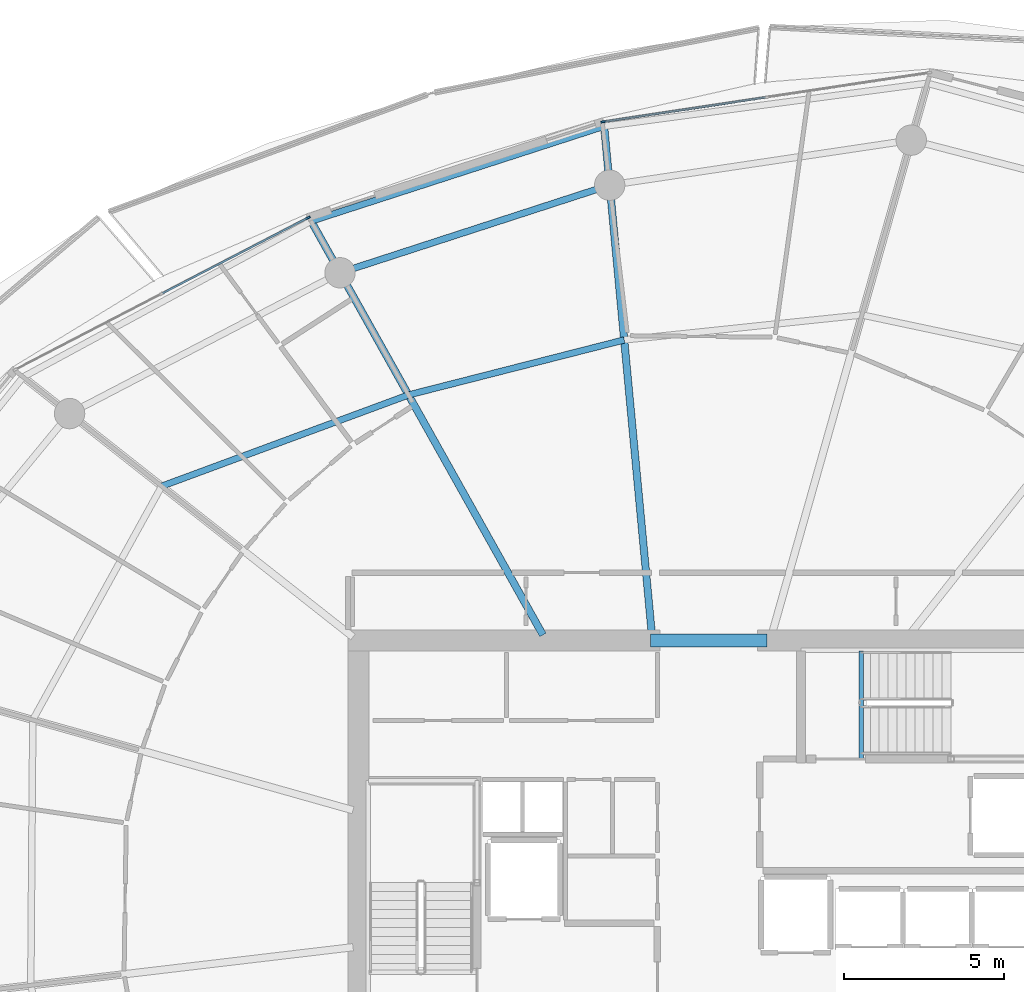
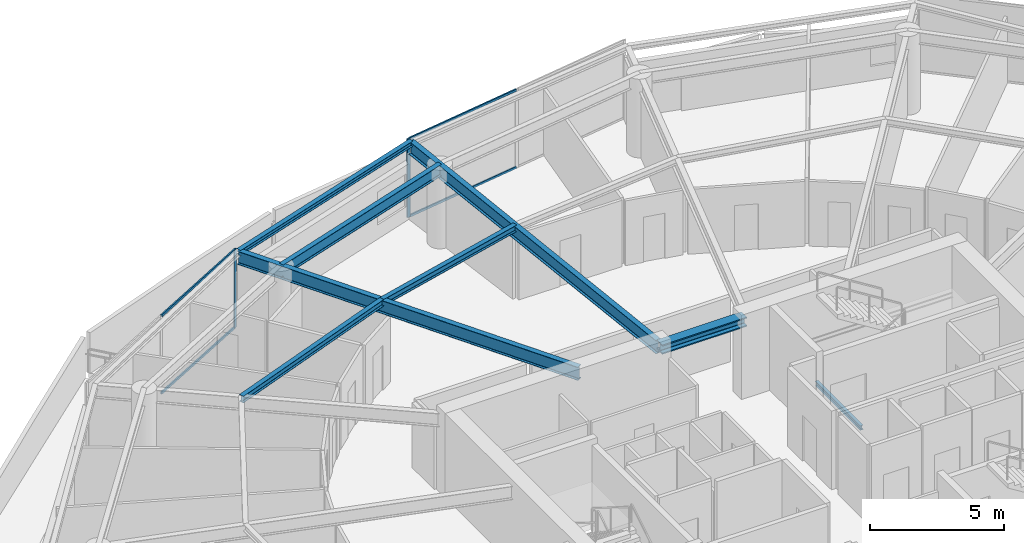
# One storey, part 14 of 31: 8 beams, 6 members, 2 elements without a shape of their own.
"""IFC4 building model written with IfcOpenShell, lengths in metres."""

from ifc_helpers import new_model, si_unit, direction, frame, origin, origin_2d, place, context, subcontext, project, spatial, rectangle, i_section, extrude, material, layer, layer_set, material_profile, profile_set, type_object, element, aggregate, save


model = new_model("IFC4")

# Units and contexts
model_context = context("Model", 3, precision=1e-05, world=origin(), true_north=direction((0.0, 1.0)))
body_context = subcontext(model_context, "Body", "Model", "MODEL_VIEW")
ifc_project = project(units=[si_unit("LENGTHUNIT", "METRE"), si_unit("AREAUNIT", "SQUARE_METRE"), si_unit("VOLUMEUNIT", "CUBIC_METRE"), si_unit("PLANEANGLEUNIT", "RADIAN"), si_unit("MASSUNIT", "GRAM", prefix="KILO")], contexts=[model_context])

# Site, building, storey
site_placement = place(None, origin())
site = spatial("IfcSite", under=ifc_project, at=site_placement, CompositionType="ELEMENT")
building_placement = place(site_placement, origin())
building = spatial("IfcBuilding", under=site, at=building_placement, Name="Kazma Halo Residences", CompositionType="ELEMENT")
storey_placement = place(building_placement, frame((0.0, 0.0, 240.550048828125)))
storey = spatial("IfcBuildingStorey", under=building, at=storey_placement, Name="L60", CompositionType="ELEMENT", Elevation=240.550048828125)

# Beams
ifc_material_1 = material(Name="Steel S355", Category="steel")
ifc_material_profile_1 = material_profile(ifc_material_1, i_section(OverallWidth=0.201904296875, OverallDepth=0.2470703125, WebThickness=0.00732421875, FlangeThickness=0.010986328125, FilletRadius=0.011962890625, at=origin_2d()), Name="W250x49.1")
ifc_profile_set_1 = profile_set([ifc_material_profile_1], Name="Steel S355")
beam_type_1 = type_object("IfcBeamType", Name="BM-BAL-CANT", PredefinedType="BEAM", material=ifc_profile_set_1)
beam_1_placement = place(storey_placement, frame((45.155517578125, 66.41259765625, 3.466552734375), z_axis=(-0.951357597741, -0.308088820344, 0.0), x_axis=(0.308088820344, -0.951357597741, 0.0)))
element("IfcBeam", 1, at=beam_1_placement, inside=storey, type_object=beam_type_1, Name="L60 wave-balcony tie beam 04", PredefinedType="BEAM", context=body_context, shape_type="SweptSolid", body=[
    extrude(i_section(OverallWidth=0.201904296875, OverallDepth=0.2470703125, WebThickness=0.00732421875, FlangeThickness=0.010986328125, FilletRadius=0.011962890625, at=origin_2d()), origin(), (0.0, 0.0, 1.0), 9.633544921875),
])
ifc_material_profile_2 = material_profile(ifc_material_1, i_section(OverallWidth=0.408935546875, OverallDepth=0.425048828125, WebThickness=0.03271484375, FlangeThickness=0.052490234375, FilletRadius=0.02001953125, at=origin_2d()), Name="W360x421")
ifc_profile_set_2 = profile_set([ifc_material_profile_2], Name="Steel S355")
beam_type_2 = type_object("IfcBeamType", Name="BM-CORE-W360H", PredefinedType="BEAM", material=ifc_profile_set_2)
beam_2_placement = place(storey_placement, frame((46.60009765625, 50.324951171875, 3.37744140625), z_axis=(1.0, 0.0, 0.0), x_axis=(0.0, 1.0, 0.0)))
element("IfcBeam", 2, at=beam_2_placement, inside=storey, type_object=beam_type_2, Name="L60 core coupling beam N", PredefinedType="BEAM", context=body_context, shape_type="SweptSolid", body=[
    extrude(i_section(OverallWidth=0.408935546875, OverallDepth=0.425048828125, WebThickness=0.03271484375, FlangeThickness=0.052490234375, FilletRadius=0.02001953125, at=origin_2d()), origin(), (0.0, 0.0, 1.0), 3.64990234375),
])
ifc_material_profile_3 = material_profile(ifc_material_1, i_section(OverallWidth=0.22802734375, OverallDepth=0.60791015625, WebThickness=0.01123046875, FlangeThickness=0.017333984375, FilletRadius=0.01806640625, at=origin_2d()), Name="W610x113")
ifc_profile_set_3 = profile_set([ifc_material_profile_3], Name="Steel S355")
beam_type_3 = type_object("IfcBeamType", Name="BM-RAD-W610", PredefinedType="BEAM", material=ifc_profile_set_3)
beam_3_placement = place(storey_placement, frame((46.64990234375, 50.5, 3.285888671875), z_axis=(-0.093500648044, 0.995619218786, 0.0), x_axis=(-0.995619218786, -0.093500648044, 0.0)))
element("IfcBeam", 3, at=beam_3_placement, inside=storey, type_object=beam_type_3, Name="L60 radial floor beam 04", PredefinedType="BEAM", context=body_context, shape_type="SweptSolid", body=[
    extrude(i_section(OverallWidth=0.22802734375, OverallDepth=0.60791015625, WebThickness=0.01123046875, FlangeThickness=0.017333984375, FilletRadius=0.01806640625, at=origin_2d()), origin(), (0.0, 0.0, 1.0), 15.982666015625),
])
beam_4_placement = place(storey_placement, frame((43.23974609375, 50.5, 3.285888671875), z_axis=(-0.488618902548, 0.872497316943, 0.0), x_axis=(-0.872497316943, -0.488618902548, 0.0)))
element("IfcBeam", 4, at=beam_4_placement, inside=storey, type_object=beam_type_3, Name="L60 radial floor beam 05", PredefinedType="BEAM", context=body_context, shape_type="SweptSolid", body=[
    extrude(i_section(OverallWidth=0.22802734375, OverallDepth=0.60791015625, WebThickness=0.01123046875, FlangeThickness=0.017333984375, FilletRadius=0.01806640625, at=origin_2d()), origin(), (0.0, 0.0, 1.0), 14.836181640625),
])
ifc_material_profile_4 = material_profile(ifc_material_1, i_section(OverallWidth=0.202880859375, OverallDepth=0.302978515625, WebThickness=0.007568359375, FlangeThickness=0.01318359375, FilletRadius=0.013916015625, at=origin_2d()), Name="W310x60")
ifc_profile_set_4 = profile_set([ifc_material_profile_4], Name="Steel S355")
beam_type_4 = type_object("IfcBeamType", Name="BM-SEC-W310A", PredefinedType="JOIST", material=ifc_profile_set_4)
beam_5_placement = place(storey_placement, frame((45.783203125, 59.7294921875, 3.4384765625), z_axis=(-0.968957746759, -0.2472263841, 0.0), x_axis=(0.2472263841, -0.968957746759, 0.0)))
element("IfcBeam", 5, at=beam_5_placement, inside=storey, type_object=beam_type_4, Name="L60 circumferential floor joist 04", PredefinedType="JOIST", context=body_context, shape_type="SweptSolid", body=[
    extrude(i_section(OverallWidth=0.202880859375, OverallDepth=0.302978515625, WebThickness=0.007568359375, FlangeThickness=0.01318359375, FilletRadius=0.013916015625, at=origin_2d()), origin(), (0.0, 0.0, 1.0), 6.9638671875),
])
beam_6_placement = place(storey_placement, frame((39.035400390625, 58.0078125, 3.4384765625), z_axis=(-0.937943961726, -0.346786857683, 0.0), x_axis=(0.346786857683, -0.937943961726, 0.0)))
element("IfcBeam", 6, at=beam_6_placement, inside=storey, type_object=beam_type_4, Name="L60 circumferential floor joist 05", PredefinedType="JOIST", context=body_context, shape_type="SweptSolid", body=[
    extrude(i_section(OverallWidth=0.202880859375, OverallDepth=0.302978515625, WebThickness=0.007568359375, FlangeThickness=0.01318359375, FilletRadius=0.013916015625, at=origin_2d()), origin(), (0.0, 0.0, 1.0), 8.231201171875),
])
ifc_material_profile_5 = material_profile(ifc_material_1, i_section(OverallWidth=0.208984375, OverallDepth=0.532958984375, WebThickness=0.01025390625, FlangeThickness=0.015625, FilletRadius=0.01611328125, at=origin_2d()), Name="W530x92")
ifc_profile_set_5 = profile_set([ifc_material_profile_5], Name="Steel S355")
beam_type_5 = type_object("IfcBeamType", Name="BM-SPN-W530", PredefinedType="BEAM", material=ifc_profile_set_5)
beam_7_placement = place(storey_placement, frame((45.32861328125, 64.57080078125, 3.323486328125), z_axis=(-0.951053893407, -0.309025066679, 0.0), x_axis=(0.309025066679, -0.951053893407, 0.0)))
element("IfcBeam", 7, at=beam_7_placement, inside=storey, type_object=beam_type_5, Name="L60 perimeter ring beam 04", PredefinedType="BEAM", context=body_context, shape_type="SweptSolid", body=[
    extrude(i_section(OverallWidth=0.208984375, OverallDepth=0.532958984375, WebThickness=0.01025390625, FlangeThickness=0.015625, FilletRadius=0.01611328125, at=origin_2d()), origin(), (0.0, 0.0, 1.0), 8.8681640625),
])
ifc_material_profile_6 = material_profile(ifc_material_1, i_section(OverallWidth=0.133056640625, OverallDepth=0.20703125, WebThickness=0.005859375, FlangeThickness=0.00830078125, FilletRadius=0.010009765625, at=origin_2d()), Name="W200x26.6")
ifc_profile_set_6 = profile_set([ifc_material_profile_6], Name="Steel S355")
beam_type_6 = type_object("IfcBeamType", Name="BM-TRIM-W200", PredefinedType="BEAM", material=ifc_profile_set_6)
beam_8_placement = place(storey_placement, frame((53.199951171875, 46.6201171875, -0.3701171875), z_axis=(0.0, 1.0, 0.0), x_axis=(-1.0, 0.0, 0.0)))
element("IfcBeam", 8, at=beam_8_placement, inside=storey, type_object=beam_type_6, Name="L60 ST-02 floor landing support beam", PredefinedType="BEAM", context=body_context, shape_type="SweptSolid", body=[
    extrude(i_section(OverallWidth=0.133056640625, OverallDepth=0.20703125, WebThickness=0.005859375, FlangeThickness=0.00830078125, FilletRadius=0.010009765625, at=origin_2d()), origin(), (0.0, 0.0, 1.0), 3.3798828125),
])

# Curtain wall, member
ifc_material_2 = material(Name="Aluminium AW-6063 T6 and Triple-Silver Low-E Glass", Category="aluminium")
ifc_layer = layer(ifc_material_2, 0.139892578125)
ifc_layer_set = layer_set([ifc_layer], Name="Aluminium AW-6063 T6 and Triple-Silver Low-E Glass")
curtain_wall_type = type_object("IfcCurtainWallType", Name="CW-SYS-5", PredefinedType="NOTDEFINED", material=ifc_layer_set)
curtain_wall_1_placement = place(storey_placement, origin())
curtain_wall_1 = element("IfcCurtainWall", 9, at=curtain_wall_1_placement, inside=storey, type_object=curtain_wall_type, Name="L60 unitised curtain wall B03", PredefinedType="NOTDEFINED")
ifc_material_3 = material(Name="Aluminium AW-6063 T6", Category="aluminium")
ifc_material_profile_7 = material_profile(ifc_material_3, rectangle(XDim=0.06005859375, YDim=0.139892578125, at=origin_2d()), Name="CWM-60x140")
ifc_profile_set_7 = profile_set([ifc_material_profile_7], Name="Aluminium AW-6063 T6")
member_type_1 = type_object("IfcMemberType", Name="CW-SYS-5-MUL", PredefinedType="MULLION", material=ifc_profile_set_7)
member_1_placement = place(storey_placement, frame((45.124267578125, 66.552734375, 0.0), z_axis=(0.0, 0.0, 1.0), x_axis=(0.148697080374, -0.988882792998, 0.0)))
member_1 = element("IfcMember", 10, at=member_1_placement, type_object=member_type_1, Name="CWS-5 mullion 3", PredefinedType="MULLION", context=body_context, shape_type="SweptSolid", body=[
    extrude(rectangle(XDim=0.06005859375, YDim=0.139892578125, at=origin_2d()), origin(), (0.0, 0.0, 1.0), 3.58984375),
])

curtain_wall_2_placement = place(storey_placement, origin())
curtain_wall_2 = element("IfcCurtainWall", 11, at=curtain_wall_2_placement, inside=storey, type_object=curtain_wall_type, Name="L60 unitised curtain wall B05", PredefinedType="NOTDEFINED")
member_2_placement = place(storey_placement, frame((35.894775390625, 63.553955078125, 0.0), z_axis=(0.0, 0.0, 1.0), x_axis=(0.460960760804, -0.887420518694, 0.0)))
member_2 = element("IfcMember", 12, at=member_2_placement, type_object=member_type_1, Name="CWS-5 mullion 1", PredefinedType="MULLION", context=body_context, shape_type="SweptSolid", body=[
    extrude(rectangle(XDim=0.06005859375, YDim=0.139892578125, at=origin_2d()), origin(), (0.0, 0.0, 1.0), 3.58984375),
])

# Member
ifc_material_profile_8 = material_profile(ifc_material_3, rectangle(XDim=0.06005859375, YDim=0.10498046875, at=origin_2d()), Name="CWT-60x105")
ifc_profile_set_8 = profile_set([ifc_material_profile_8], Name="Aluminium AW-6063 T6")
member_type_2 = type_object("IfcMemberType", Name="CW-SYS-5-TRN", PredefinedType="USERDEFINED", material=ifc_profile_set_8)
member_3_placement = place(storey_placement, frame((50.19677734375, 67.3154296875, 0.030029296875), z_axis=(-0.988882913569, -0.148696278541, 0.0), x_axis=(0.148696278541, -0.988882913569, 0.0)))
member_3 = element("IfcMember", 13, at=member_3_placement, type_object=member_type_2, Name="CWS-5 transom 2.1", ObjectType="TRANSOM", PredefinedType="USERDEFINED", context=body_context, shape_type="SweptSolid", body=[
    extrude(rectangle(XDim=0.06005859375, YDim=0.10498046875, at=origin_2d()), origin(), (0.0, 0.0, 1.0), 5.099609375),
])

member_4_placement = place(storey_placement, frame((50.19677734375, 67.3154296875, 3.56005859375), z_axis=(-0.988882913569, -0.148696278541, 0.0), x_axis=(0.148696278541, -0.988882913569, 0.0)))
member_4 = element("IfcMember", 14, at=member_4_placement, type_object=member_type_2, Name="CWS-5 transom 2.2", ObjectType="TRANSOM", PredefinedType="USERDEFINED", context=body_context, shape_type="SweptSolid", body=[
    extrude(rectangle(XDim=0.06005859375, YDim=0.10498046875, at=origin_2d()), origin(), (0.0, 0.0, 1.0), 5.099609375),
])

aggregate(curtain_wall_1, [member_1, member_3, member_4])

member_5_placement = place(storey_placement, frame((35.8681640625, 63.5400390625, 0.030029296875), z_axis=(-0.887436955863, -0.46092911534, 0.0), x_axis=(0.46092911534, -0.887436955863, 0.0)))
member_5 = element("IfcMember", 15, at=member_5_placement, type_object=member_type_2, Name="CWS-5 transom 1.1", ObjectType="TRANSOM", PredefinedType="USERDEFINED", context=body_context, shape_type="SweptSolid", body=[
    extrude(rectangle(XDim=0.06005859375, YDim=0.10498046875, at=origin_2d()), origin(), (0.0, 0.0, 1.0), 5.099609375),
])

member_6_placement = place(storey_placement, frame((35.8681640625, 63.5400390625, 3.56005859375), z_axis=(-0.887436955863, -0.46092911534, 0.0), x_axis=(0.46092911534, -0.887436955863, 0.0)))
member_6 = element("IfcMember", 16, at=member_6_placement, type_object=member_type_2, Name="CWS-5 transom 1.2", ObjectType="TRANSOM", PredefinedType="USERDEFINED", context=body_context, shape_type="SweptSolid", body=[
    extrude(rectangle(XDim=0.06005859375, YDim=0.10498046875, at=origin_2d()), origin(), (0.0, 0.0, 1.0), 5.099609375),
])

aggregate(curtain_wall_2, [member_2, member_5, member_6])

save(model, "model.ifc")
